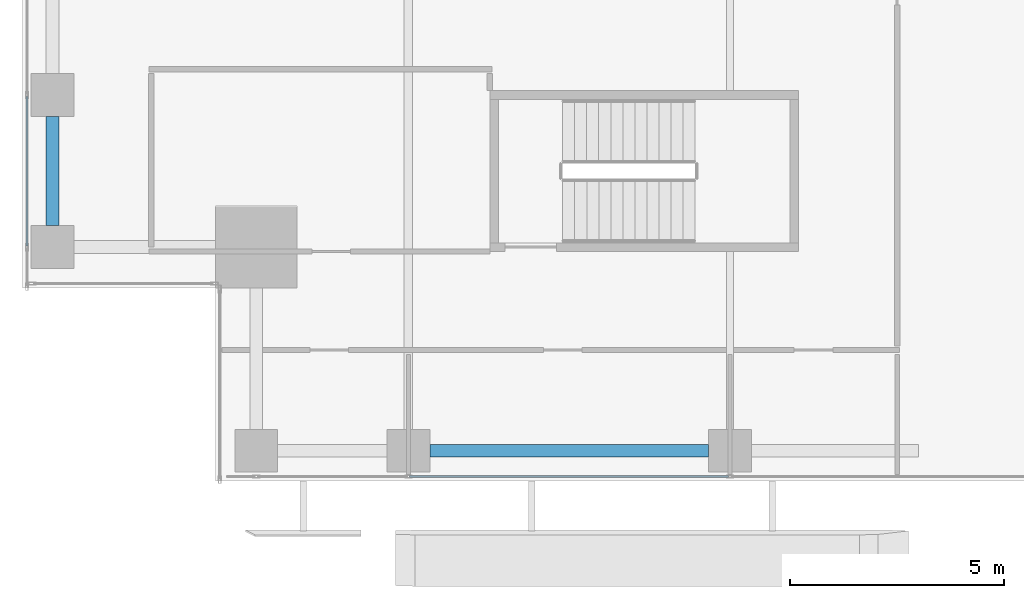
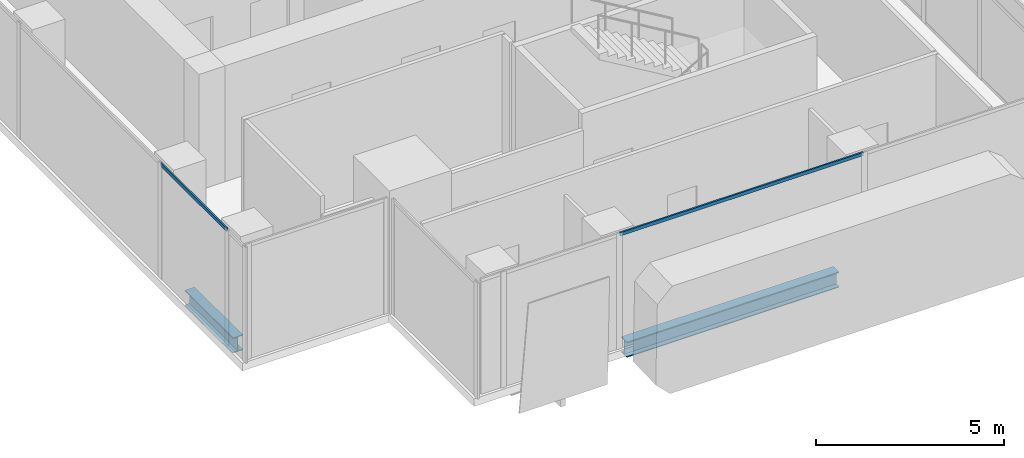
# One storey, part 3 of 38: 2 beams, 2 members, 2 elements without a shape of their own.
"""IFC4 building model written with IfcOpenShell, lengths in metres."""

from ifc_helpers import new_model, si_unit, direction, frame, origin, origin_2d, place, context, subcontext, project, spatial, hollow_rectangle, i_section, extrude, source, transform, mapped, material, material_profile, profile_set, type_object, element, aggregate, save


model = new_model("IFC4")

# Units and contexts
model_context = context("Model", 3, precision=1e-05, world=origin(), true_north=direction((0.0, 1.0)))
body_context = subcontext(model_context, "Body", "Model", "MODEL_VIEW")
ifc_project = project(units=[si_unit("LENGTHUNIT", "METRE"), si_unit("AREAUNIT", "SQUARE_METRE"), si_unit("VOLUMEUNIT", "CUBIC_METRE"), si_unit("PLANEANGLEUNIT", "RADIAN"), si_unit("MASSUNIT", "GRAM", prefix="KILO")], contexts=[model_context])

# Site, building, storey
site_placement = place(None, origin())
site = spatial("IfcSite", under=ifc_project, at=site_placement, CompositionType="ELEMENT")
building_placement = place(site_placement, origin())
building = spatial("IfcBuilding", under=site, at=building_placement, Name="Khomas Fold Tower", CompositionType="ELEMENT")
storey_placement = place(building_placement, frame((0.0, 0.0, 172.699951171875)))
storey = spatial("IfcBuildingStorey", under=building, at=storey_placement, Name="L37", CompositionType="ELEMENT", Elevation=172.699951171875)

# Beams
ifc_material_1 = material(Name="Steel S355", Category="steel")
ifc_material_profile_1 = material_profile(ifc_material_1, i_section(OverallWidth=0.300048828125, OverallDepth=0.5, WebThickness=0.014404296875, FlangeThickness=0.028076171875, at=origin_2d()), Name="HE 500 B")
ifc_profile_set_1 = profile_set([ifc_material_profile_1], Name="Steel S355")
beam_type = type_object("IfcBeamType", Name="HE 500 B spandrel SB3", PredefinedType="SPANDREL", material=ifc_profile_set_1)
shared_shape_1 = source(origin(), body_context, "Body", "SweptSolid", [
    extrude(i_section(OverallWidth=0.300048828125, OverallDepth=0.5, WebThickness=0.014404296875, FlangeThickness=0.028076171875, at=origin_2d()), origin(), (0.0, 0.0, 1.0), 2.550048828125),
])
beam_1_placement = place(storey_placement, frame((3.699951171875, 8.949951171875, -0.5), z_axis=(0.0, 1.0, 0.0), x_axis=(-1.0, 0.0, 0.0)))
element("IfcBeam", 1, at=beam_1_placement, inside=storey, type_object=beam_type, Name="SB3", PredefinedType="SPANDREL", context=body_context, shape_type="MappedRepresentation", body=[
    mapped(shared_shape_1, transform((0.0, 0.0, 0.0))),
])
shared_shape_2 = source(origin(), body_context, "Body", "SweptSolid", [
    extrude(i_section(OverallWidth=0.300048828125, OverallDepth=0.5, WebThickness=0.014404296875, FlangeThickness=0.028076171875, at=origin_2d()), origin(), (0.0, 0.0, 1.0), 6.5),
])
beam_2_placement = place(storey_placement, frame((12.5, 3.699951171875, -0.5), z_axis=(1.0, 0.0, 0.0), x_axis=(0.0, 1.0, 0.0)))
element("IfcBeam", 2, at=beam_2_placement, inside=storey, type_object=beam_type, Name="SB3", PredefinedType="SPANDREL", context=body_context, shape_type="MappedRepresentation", body=[
    mapped(shared_shape_2, transform((0.0, 0.0, 0.0))),
])

# Curtain wall, member
ifc_material_2 = material(Name="Aluminium framed double glazing", Category="aluminium")
curtain_wall_type = type_object("IfcCurtainWallType", Name="SK-Unitised clear-glass wall, office floors CW2", PredefinedType="NOTDEFINED", material=ifc_material_2)
curtain_wall_1_placement = place(storey_placement, origin())
curtain_wall_1 = element("IfcCurtainWall", 3, at=curtain_wall_1_placement, inside=storey, type_object=curtain_wall_type, Name="CW2 run L37 18-0", PredefinedType="NOTDEFINED")
ifc_material_3 = material(Name="Aluminium", Category="aluminium")
ifc_material_profile_2 = material_profile(ifc_material_3, hollow_rectangle(XDim=0.050048828125, YDim=0.110107421875, WallThickness=0.00390625, at=origin_2d()), Name="SK-Unitised clear-glass wall, office floors transom CW2-T")
ifc_profile_set_2 = profile_set([ifc_material_profile_2], Name="Aluminium")
member_type = type_object("IfcMemberType", Name="SK-Unitised clear-glass wall, office floors transom CW2-T", PredefinedType="USERDEFINED", material=ifc_profile_set_2)
shared_shape_3 = source(origin(), body_context, "Body", "SweptSolid", [
    extrude(hollow_rectangle(XDim=0.050048828125, YDim=0.110107421875, WallThickness=0.00390625, at=origin_2d()), origin(), (0.0, 0.0, 1.0), 3.489990234375),
])
member_1_placement = place(storey_placement, frame((3.10009765625, 11.969970703125, 3.695068359375), z_axis=(0.0, -1.0, 0.0), x_axis=(1.0, 0.0, 0.0)))
member_1 = element("IfcMember", 4, at=member_1_placement, type_object=member_type, Name="CW2 transom 7", ObjectType="TRANSOM", PredefinedType="USERDEFINED", context=body_context, shape_type="MappedRepresentation", body=[
    mapped(shared_shape_3, transform((0.0, 0.0, 0.0))),
])
aggregate(curtain_wall_1, [member_1])

curtain_wall_2_placement = place(storey_placement, origin())
curtain_wall_2 = element("IfcCurtainWall", 5, at=curtain_wall_2_placement, inside=storey, type_object=curtain_wall_type, Name="CW2 run L37 01-0", PredefinedType="NOTDEFINED")
shared_shape_4 = source(origin(), body_context, "Body", "SweptSolid", [
    extrude(hollow_rectangle(XDim=0.050048828125, YDim=0.110107421875, WallThickness=0.00390625, at=origin_2d()), origin(), (0.0, 0.0, 1.0), 7.43994140625),
])
member_2_placement = place(storey_placement, frame((12.030029296875, 3.10009765625, 3.695068359375), z_axis=(1.0, 0.0, 0.0), x_axis=(0.0, 1.0, 0.0)))
member_2 = element("IfcMember", 6, at=member_2_placement, type_object=member_type, Name="CW2 transom 3", ObjectType="TRANSOM", PredefinedType="USERDEFINED", context=body_context, shape_type="MappedRepresentation", body=[
    mapped(shared_shape_4, transform((0.0, 0.0, 0.0))),
])
aggregate(curtain_wall_2, [member_2])

save(model, "model.ifc")
